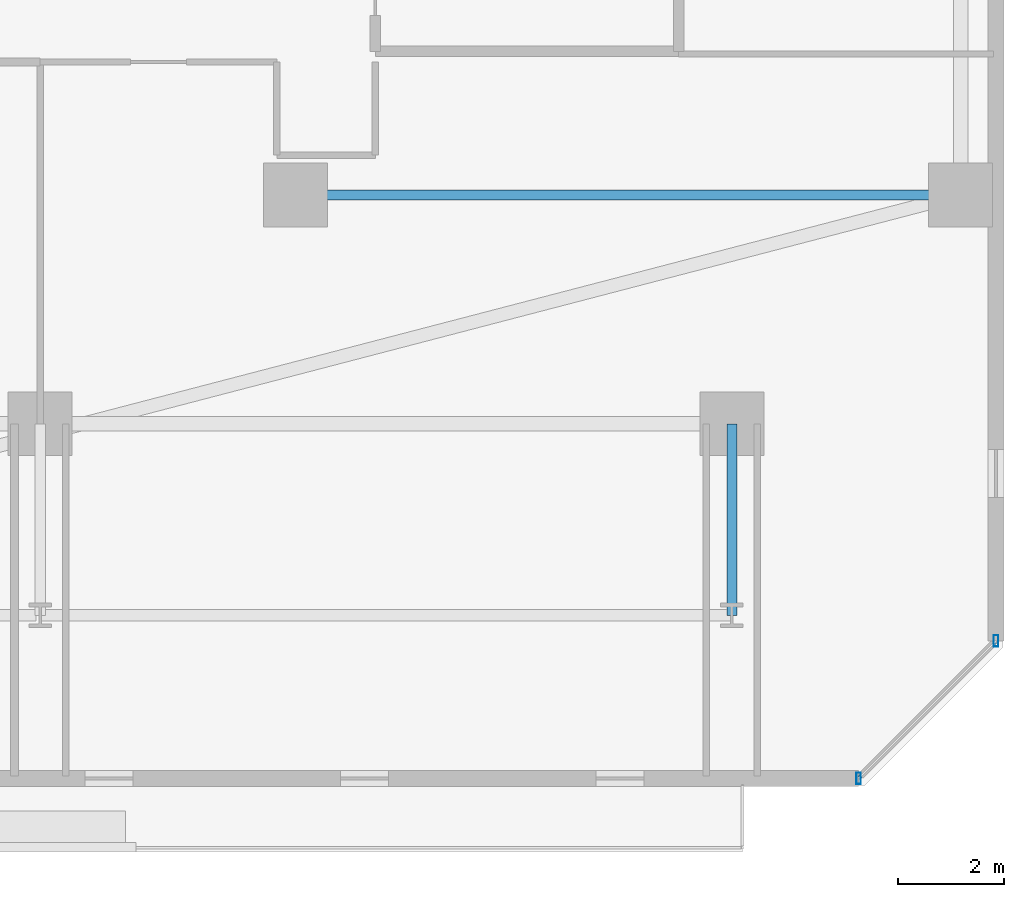
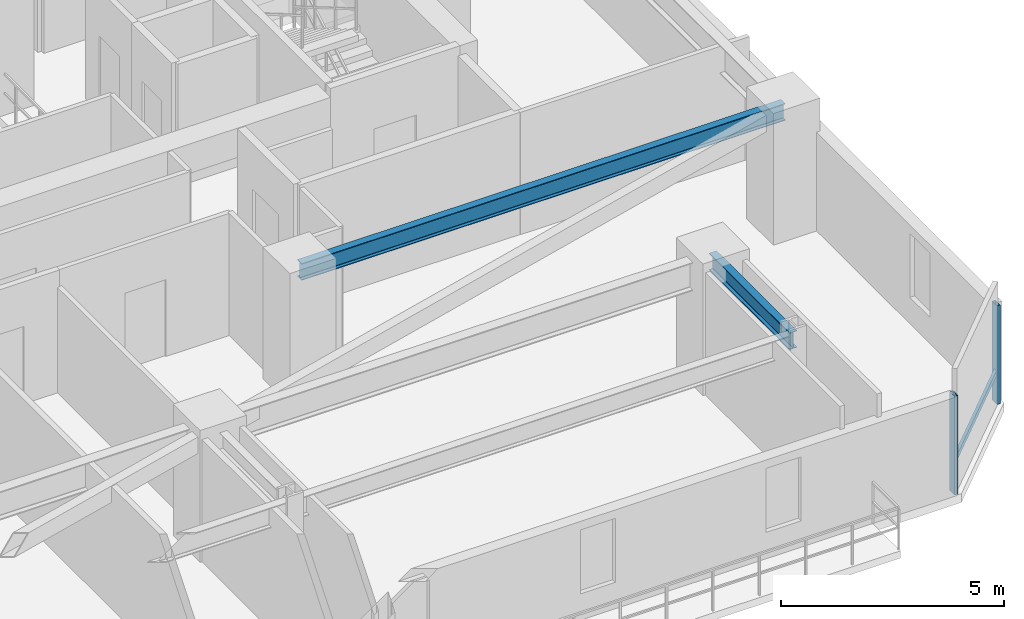
# One storey, part 13 of 33: 3 members, 2 beams, 1 element without a shape of its own.
"""IFC4 building model written with IfcOpenShell, lengths in metres."""

from ifc_helpers import new_model, si_unit, direction, frame, origin, origin_2d, place, context, subcontext, project, spatial, hollow_rectangle, i_section, extrude, material, material_profile, profile_set, type_object, element, aggregate, save


model = new_model("IFC4")

# Units and contexts
model_context = context("Model", 3, precision=1e-05, world=origin(), true_north=direction((0.0, 1.0)))
body_context = subcontext(model_context, "Body", "Model", "MODEL_VIEW")
ifc_project = project(units=[si_unit("LENGTHUNIT", "METRE"), si_unit("AREAUNIT", "SQUARE_METRE"), si_unit("VOLUMEUNIT", "CUBIC_METRE"), si_unit("PLANEANGLEUNIT", "RADIAN"), si_unit("MASSUNIT", "GRAM", prefix="KILO")], contexts=[model_context])

# Site, building, storey
site_placement = place(None, origin())
site = spatial("IfcSite", under=ifc_project, at=site_placement, CompositionType="ELEMENT")
building_placement = place(site_placement, origin())
building = spatial("IfcBuilding", under=site, at=building_placement, Name="Thornwick Lancets Civic Towers", CompositionType="ELEMENT")
storey_placement = place(building_placement, frame((0.0, 0.0, 112.5)))
storey = spatial("IfcBuildingStorey", under=building, at=storey_placement, Name="L29", CompositionType="ELEMENT", Elevation=112.5)

# Beams
ifc_material_1 = material(Name="Steel S355JR", Category="steel")
ifc_material_profile_1 = material_profile(ifc_material_1, i_section(OverallWidth=0.19189453125, OverallDepth=0.46337890625, WebThickness=0.010498046875, FlangeThickness=0.017578125, FilletRadius=0.01025390625, at=origin_2d()), Name="UKB 457x191x89")
ifc_profile_set_1 = profile_set([ifc_material_profile_1], Name="Steel S355JR")
beam_type = type_object("IfcBeamType", Name="BM_JOIST_457_89", PredefinedType="JOIST", material=ifc_profile_set_1)
beam_1_placement = place(storey_placement, frame((93.300048828125, 14.0, 3.12841796875), z_axis=(1.0, 0.0, 0.0), x_axis=(0.0, 1.0, 0.0)))
element("IfcBeam", 1, at=beam_1_placement, inside=storey, type_object=beam_type, Name="BM-RADIN-L29-B01", PredefinedType="JOIST", context=body_context, shape_type="SweptSolid", body=[
    extrude(i_section(OverallWidth=0.19189453125, OverallDepth=0.46337890625, WebThickness=0.010498046875, FlangeThickness=0.017578125, FilletRadius=0.01025390625, at=origin_2d()), origin(), (0.0, 0.0, 1.0), 12.5),
])
beam_2_placement = place(storey_placement, frame((101.5, 9.699951171875, 3.12841796875), z_axis=(0.0, -1.0, 0.0), x_axis=(1.0, 0.0, 0.0)))
element("IfcBeam", 2, at=beam_2_placement, inside=storey, type_object=beam_type, Name="BM-RAD-L29-B10", PredefinedType="JOIST", context=body_context, shape_type="SweptSolid", body=[
    extrude(i_section(OverallWidth=0.19189453125, OverallDepth=0.46337890625, WebThickness=0.010498046875, FlangeThickness=0.017578125, FilletRadius=0.01025390625, at=origin_2d()), origin(), (0.0, 0.0, 1.0), 3.599853515625),
])

# Curtain wall, members
ifc_material_2 = material(Name="Low-zone chamfered-corner unitised glass curtain wall", Category="glass")
curtain_wall_type = type_object("IfcCurtainWallType", Name="CW_SYS_03", PredefinedType="NOTDEFINED", material=ifc_material_2)
curtain_wall_placement = place(storey_placement, origin())
curtain_wall = element("IfcCurtainWall", 3, at=curtain_wall_placement, inside=storey, type_object=curtain_wall_type, Name="L29 Curtain Wall CW-L29-B-E1", PredefinedType="NOTDEFINED")
ifc_material_3 = material(Name="Thermally broken bronze aluminium S355", Category="steel")
ifc_material_profile_2 = material_profile(ifc_material_3, hollow_rectangle(XDim=0.090087890625, YDim=0.219970703125, WallThickness=0.00634765625, at=origin_2d()), Name="RHS 220x90x6.3")
ifc_profile_set_2 = profile_set([ifc_material_profile_2], Name="Thermally broken bronze aluminium S355")
member_type_1 = type_object("IfcMemberType", Name="CW_MUL_220", PredefinedType="MULLION", material=ifc_profile_set_2)
member_1_placement = place(storey_placement, frame((103.88134765625, 3.035400390625, 0.0), z_axis=(0.0, 0.0, 1.0), x_axis=(1.0, 0.0, 0.0)))
member_1 = element("IfcMember", 4, at=member_1_placement, type_object=member_type_1, Name="CW-L29-B-E1 Mullion 0", PredefinedType="MULLION", context=body_context, shape_type="SweptSolid", body=[
    extrude(hollow_rectangle(XDim=0.090087890625, YDim=0.219970703125, WallThickness=0.00634765625, at=origin_2d()), origin(), (0.0, 0.0, 1.0), 2.699951171875),
])
member_2_placement = place(storey_placement, frame((106.464599609375, 5.61865234375, 0.0), z_axis=(0.0, 0.0, 1.0), x_axis=(1.0, 0.0, 0.0)))
member_2 = element("IfcMember", 5, at=member_2_placement, type_object=member_type_1, Name="CW-L29-B-E1 Mullion 1", PredefinedType="MULLION", context=body_context, shape_type="SweptSolid", body=[
    extrude(hollow_rectangle(XDim=0.090087890625, YDim=0.219970703125, WallThickness=0.00634765625, at=origin_2d()), origin(), (0.0, 0.0, 1.0), 2.699951171875),
])
ifc_material_profile_3 = material_profile(ifc_material_3, hollow_rectangle(XDim=0.074951171875, YDim=0.14990234375, WallThickness=0.0048828125, at=origin_2d()), Name="RHS 150x75x5")
ifc_profile_set_3 = profile_set([ifc_material_profile_3], Name="Thermally broken bronze aluminium S355")
member_type_2 = type_object("IfcMemberType", Name="CW_TRN_150", PredefinedType="USERDEFINED", material=ifc_profile_set_3)
member_3_placement = place(storey_placement, frame((103.8955078125, 3.04931640625, 0.85009765625), z_axis=(0.707106781187, 0.707106781187, 0.0), x_axis=(-0.707106781187, 0.707106781187, 0.0)))
member_3 = element("IfcMember", 6, at=member_3_placement, type_object=member_type_2, Name="CW-L29-B-E1 Transom 0", ObjectType="TRANSOM", PredefinedType="USERDEFINED", context=body_context, shape_type="SweptSolid", body=[
    extrude(hollow_rectangle(XDim=0.074951171875, YDim=0.14990234375, WallThickness=0.0048828125, at=origin_2d()), origin(), (0.0, 0.0, 1.0), 3.613525390625),
])
aggregate(curtain_wall, [member_1, member_2, member_3])

save(model, "model.ifc")
